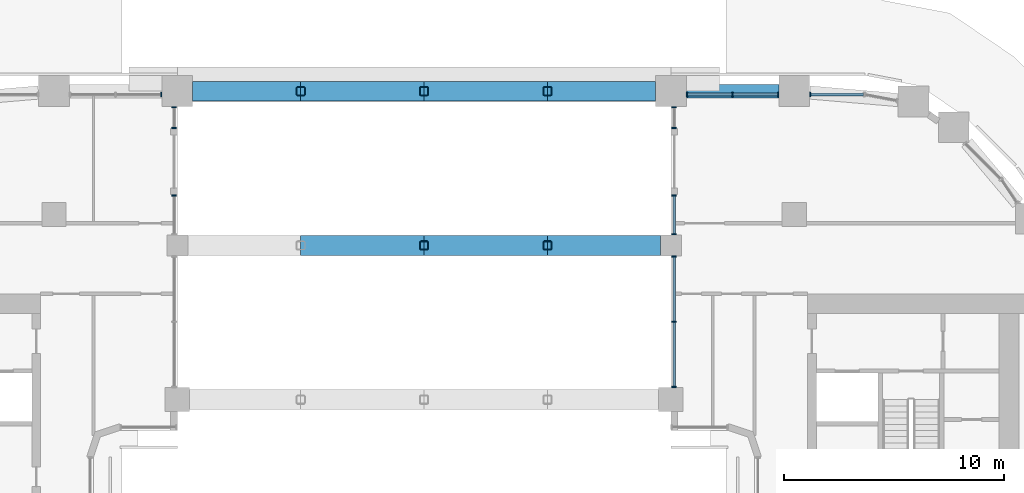
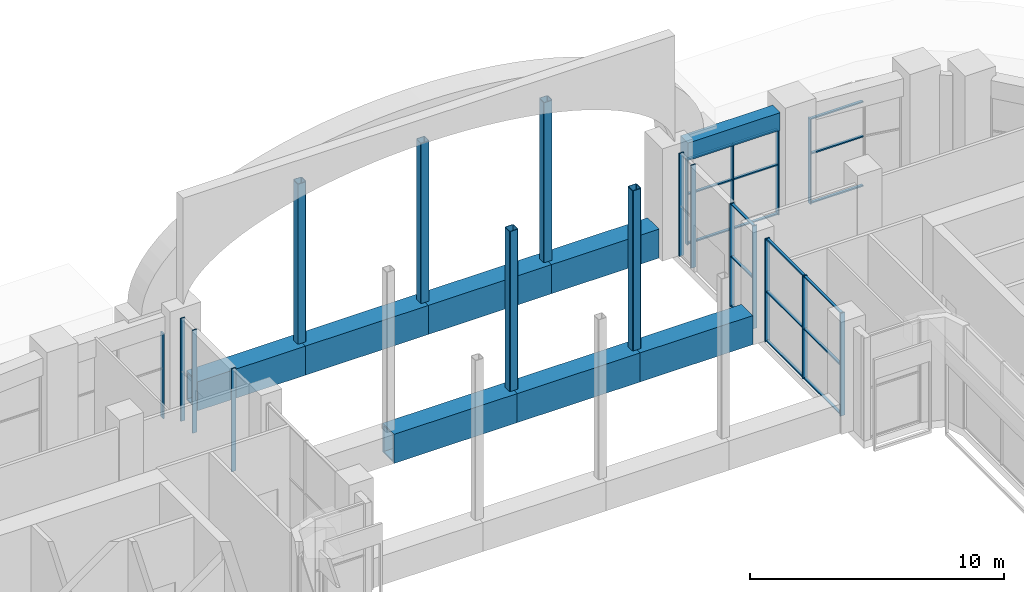
# One storey, part 9 of 27: 45 members, 1 beam, 8 elements without a shape of their own.
"""IFC4 building model written with IfcOpenShell, lengths in metres."""

from ifc_helpers import new_model, si_unit, direction, frame, origin, origin_2d, place, context, subcontext, project, spatial, rectangle, hollow_rectangle, extrude, material, layer, layer_set, material_profile, profile_set, type_object, element, aggregate, save


model = new_model("IFC4")

# Units and contexts
model_context = context("Model", 3, precision=1e-05, world=origin(), true_north=direction((0.0, 1.0)))
body_context = subcontext(model_context, "Body", "Model", "MODEL_VIEW")
ifc_project = project(units=[si_unit("LENGTHUNIT", "METRE"), si_unit("AREAUNIT", "SQUARE_METRE"), si_unit("VOLUMEUNIT", "CUBIC_METRE"), si_unit("PLANEANGLEUNIT", "RADIAN"), si_unit("MASSUNIT", "GRAM", prefix="KILO")], contexts=[model_context])

# Site, building, storey
site_placement = place(None, origin())
site = spatial("IfcSite", under=ifc_project, at=site_placement, CompositionType="ELEMENT")
building_placement = place(site_placement, origin())
building = spatial("IfcBuilding", under=site, at=building_placement, Name="Kiln Ring Residences", CompositionType="ELEMENT")
storey_placement = place(building_placement, frame((0.0, 0.0, 72.5)))
storey = spatial("IfcBuildingStorey", under=building, at=storey_placement, Name="L18", CompositionType="ELEMENT", Elevation=72.5)

# Members
ifc_material_1 = material(Name="Steel S460", Category="steel")
ifc_material_profile_1 = material_profile(ifc_material_1, hollow_rectangle(XDim=0.89990234375, YDim=1.39990234375, WallThickness=0.080078125, at=origin_2d()), Name="BOX1400x900x80")
ifc_profile_set_1 = profile_set([ifc_material_profile_1], Name="Steel S460")
member_type_1 = type_object("IfcMemberType", Name="Bridge truss chord BOX1400x900x80 S460", PredefinedType="CHORD", material=ifc_profile_set_1)
member_1_placement = place(storey_placement, frame((-10.5, 22.39990234375, 0.699951171875), z_axis=(1.0, 0.0, 0.0), x_axis=(0.0, 1.0, 0.0)))
element("IfcMember", 1, at=member_1_placement, inside=storey, type_object=member_type_1, Name="Bridge truss chord L18 13", PredefinedType="CHORD", context=body_context, shape_type="SweptSolid", body=[
    extrude(hollow_rectangle(XDim=0.89990234375, YDim=1.39990234375, WallThickness=0.080078125, at=origin_2d()), origin(), (0.0, 0.0, 1.0), 4.89990234375),
])
for number, where, z_axis, x_axis, name in (
    (2, (-5.60009765625, 22.39990234375, 0.699951171875), (1.0, 0.0, 0.0), (0.0, 1.0, 0.0), "Bridge truss chord L18 14"),
    (3, (0.0, 22.39990234375, 0.699951171875), (1.0, 0.0, 0.0), (0.0, 1.0, 0.0), "Bridge truss chord L18 15"),
):
    element("IfcMember", number, at=place(storey_placement, frame(where, z_axis=z_axis, x_axis=x_axis)), inside=storey, type_object=member_type_1, Name=name, PredefinedType="CHORD", context=body_context, shape_type="SweptSolid", body=[
        extrude(hollow_rectangle(XDim=0.89990234375, YDim=1.39990234375, WallThickness=0.080078125, at=origin_2d()), origin(), (0.0, 0.0, 1.0), 5.60009765625),
    ])
member_2_placement = place(storey_placement, frame((5.60009765625, 22.39990234375, 0.699951171875), z_axis=(1.0, 0.0, 0.0), x_axis=(0.0, 1.0, 0.0)))
element("IfcMember", 4, at=member_2_placement, inside=storey, type_object=member_type_1, Name="Bridge truss chord L18 16", PredefinedType="CHORD", context=body_context, shape_type="SweptSolid", body=[
    extrude(hollow_rectangle(XDim=0.89990234375, YDim=1.39990234375, WallThickness=0.080078125, at=origin_2d()), origin(), (0.0, 0.0, 1.0), 4.89990234375),
])
for number, where, z_axis, x_axis, name in (
    (5, (-5.60009765625, 15.39990234375, 0.699951171875), (1.0, 0.0, 0.0), (0.0, 1.0, 0.0), "Bridge truss chord L18 18"),
    (6, (0.0, 15.39990234375, 0.699951171875), (1.0, 0.0, 0.0), (0.0, 1.0, 0.0), "Bridge truss chord L18 19"),
):
    element("IfcMember", number, at=place(storey_placement, frame(where, z_axis=z_axis, x_axis=x_axis)), inside=storey, type_object=member_type_1, Name=name, PredefinedType="CHORD", context=body_context, shape_type="SweptSolid", body=[
        extrude(hollow_rectangle(XDim=0.89990234375, YDim=1.39990234375, WallThickness=0.080078125, at=origin_2d()), origin(), (0.0, 0.0, 1.0), 5.60009765625),
    ])
member_3_placement = place(storey_placement, frame((5.60009765625, 15.39990234375, 0.699951171875), z_axis=(1.0, 0.0, 0.0), x_axis=(0.0, 1.0, 0.0)))
element("IfcMember", 7, at=member_3_placement, inside=storey, type_object=member_type_1, Name="Bridge truss chord L18 20", PredefinedType="CHORD", context=body_context, shape_type="SweptSolid", body=[
    extrude(hollow_rectangle(XDim=0.89990234375, YDim=1.39990234375, WallThickness=0.080078125, at=origin_2d()), origin(), (0.0, 0.0, 1.0), 5.125),
])
ifc_material_2 = material(Name="Steel S355", Category="steel")
ifc_material_profile_2 = material_profile(ifc_material_2, hollow_rectangle(XDim=0.39990234375, YDim=0.39990234375, WallThickness=0.02490234375, InnerFilletRadius=0.02490234375, OuterFilletRadius=0.0625, at=origin_2d()), Name="SHS400x400x25")
ifc_profile_set_2 = profile_set([ifc_material_profile_2], Name="Steel S355")
member_type_2 = type_object("IfcMemberType", Name="Bridge truss post SHS400x400x25 S355", PredefinedType="POST", material=ifc_profile_set_2)
for number, where, z_axis, x_axis, name in (
    (8, (-5.60009765625, 22.39990234375, 1.39990234375), (0.0, 0.0, 1.0), (1.0, 0.0, 0.0), "Bridge truss post L18 10"),
    (9, (0.0, 22.39990234375, 1.39990234375), (0.0, 0.0, 1.0), (1.0, 0.0, 0.0), "Bridge truss post L18 11"),
    (10, (5.60009765625, 22.39990234375, 1.39990234375), (0.0, 0.0, 1.0), (1.0, 0.0, 0.0), "Bridge truss post L18 12"),
    (11, (0.0, 15.39990234375, 1.39990234375), (0.0, 0.0, 1.0), (1.0, 0.0, 0.0), "Bridge truss post L18 14"),
    (12, (5.60009765625, 15.39990234375, 1.39990234375), (0.0, 0.0, 1.0), (1.0, 0.0, 0.0), "Bridge truss post L18 15"),
):
    element("IfcMember", number, at=place(storey_placement, frame(where, z_axis=z_axis, x_axis=x_axis)), inside=storey, type_object=member_type_2, Name=name, PredefinedType="POST", context=body_context, shape_type="SweptSolid", body=[
        extrude(hollow_rectangle(XDim=0.39990234375, YDim=0.39990234375, WallThickness=0.02490234375, InnerFilletRadius=0.02490234375, OuterFilletRadius=0.0625, at=origin_2d()), origin(), (0.0, 0.0, 1.0), 7.7001953125),
    ])

# Curtain wall, member
ifc_material_3 = material(Name="Aluminium and glass", Category="aluminium")
ifc_layer = layer(ifc_material_3, 0.199951171875)
ifc_layer_set = layer_set([ifc_layer], Name="CW1 CURTAIN WALL")
curtain_wall_type = type_object("IfcCurtainWallType", Name="CW1 CURTAIN WALL", PredefinedType="NOTDEFINED", material=ifc_layer_set)
placement = place(storey_placement, origin())
curtain_wall_1 = element("IfcCurtainWall", 13, at=placement, inside=storey, type_object=curtain_wall_type, Name="Curtain wall CW1 L18", PredefinedType="NOTDEFINED")
ifc_material_4 = material(Name="Aluminium 6063-T6", Category="aluminium")
ifc_material_profile_3 = material_profile(ifc_material_4, rectangle(XDim=0.199951171875, YDim=0.06005859375, at=origin_2d()), Name="AL 200x60")
ifc_profile_set_3 = profile_set([ifc_material_profile_3], Name="Aluminium 6063-T6")
member_type_3 = type_object("IfcMemberType", Name="CW1 MULLION 200 x 60", PredefinedType="MULLION", material=ifc_profile_set_3)
member_4_placement = place(storey_placement, frame((-11.35009765625, 17.669921875, 0.0), z_axis=(0.0, 0.0, 1.0), x_axis=(-1.0, 0.0, 0.0)))
member_4 = element("IfcMember", 14, at=member_4_placement, type_object=member_type_3, Name="CW1 mullion 2", PredefinedType="MULLION", context=body_context, shape_type="SweptSolid", body=[
    extrude(rectangle(XDim=0.199951171875, YDim=0.06005859375, at=origin_2d()), origin(), (0.0, 0.0, 1.0), 4.949951171875),
])
aggregate(curtain_wall_1, [member_4])

# Curtain wall, members
curtain_wall_2 = element("IfcCurtainWall", 15, at=placement, inside=storey, type_object=curtain_wall_type, Name="Curtain wall CW1 L18", PredefinedType="NOTDEFINED")
member_5_placement = place(storey_placement, frame((-11.35009765625, 20.72998046875, 0.0), z_axis=(0.0, 0.0, 1.0), x_axis=(-1.0, 0.0, 0.0)))
member_5 = element("IfcMember", 16, at=member_5_placement, type_object=member_type_3, Name="CW1 mullion 1", PredefinedType="MULLION", context=body_context, shape_type="SweptSolid", body=[
    extrude(rectangle(XDim=0.199951171875, YDim=0.06005859375, at=origin_2d()), origin(), (0.0, 0.0, 1.0), 4.949951171875),
])
member_6_placement = place(storey_placement, frame((-11.35009765625, 21.669921875, 0.0), z_axis=(0.0, 0.0, 1.0), x_axis=(-1.0, 0.0, 0.0)))
member_6 = element("IfcMember", 17, at=member_6_placement, type_object=member_type_3, Name="CW1 mullion 2", PredefinedType="MULLION", context=body_context, shape_type="SweptSolid", body=[
    extrude(rectangle(XDim=0.199951171875, YDim=0.06005859375, at=origin_2d()), origin(), (0.0, 0.0, 1.0), 4.949951171875),
])
aggregate(curtain_wall_2, [member_5, member_6])

# Curtain wall, member
curtain_wall_3 = element("IfcCurtainWall", 18, at=placement, inside=storey, type_object=curtain_wall_type, Name="Curtain wall CW1 L18", PredefinedType="NOTDEFINED")
member_7_placement = place(storey_placement, frame((-11.929931640625, 22.25, 0.0), z_axis=(0.0, 0.0, 1.0), x_axis=(0.0, -1.0, 0.0)))
member_7 = element("IfcMember", 19, at=member_7_placement, type_object=member_type_3, Name="CW1 mullion 1", PredefinedType="MULLION", context=body_context, shape_type="SweptSolid", body=[
    extrude(rectangle(XDim=0.199951171875, YDim=0.06005859375, at=origin_2d()), origin(), (0.0, 0.0, 1.0), 4.10009765625),
])
aggregate(curtain_wall_3, [member_7])

curtain_wall_4 = element("IfcCurtainWall", 20, at=placement, inside=storey, type_object=curtain_wall_type, Name="Curtain wall CW1 L18", PredefinedType="NOTDEFINED")
member_8_placement = place(storey_placement, frame((17.530029296875, 22.25, 0.0), z_axis=(0.0, 0.0, 1.0), x_axis=(0.0, -1.0, 0.0)))
member_8 = element("IfcMember", 21, at=member_8_placement, type_object=member_type_3, Name="CW1 mullion 2", PredefinedType="MULLION", context=body_context, shape_type="SweptSolid", body=[
    extrude(rectangle(XDim=0.199951171875, YDim=0.06005859375, at=origin_2d()), origin(), (0.0, 0.0, 1.0), 4.10009765625),
])

# Curtain wall, members
curtain_wall_5 = element("IfcCurtainWall", 22, at=placement, inside=storey, type_object=curtain_wall_type, Name="Curtain wall CW1 L18", PredefinedType="NOTDEFINED")
member_9_placement = place(storey_placement, frame((16.070068359375, 22.25, 0.0), z_axis=(0.0, 0.0, 1.0), x_axis=(0.0, -1.0, 0.0)))
member_9 = element("IfcMember", 23, at=member_9_placement, type_object=member_type_3, Name="CW1 mullion 1", PredefinedType="MULLION", context=body_context, shape_type="SweptSolid", body=[
    extrude(rectangle(XDim=0.199951171875, YDim=0.06005859375, at=origin_2d()), origin(), (0.0, 0.0, 1.0), 4.10009765625),
])
member_10_placement = place(storey_placement, frame((14.0, 22.25, 0.0), z_axis=(0.0, 0.0, 1.0), x_axis=(0.0, -1.0, 0.0)))
member_10 = element("IfcMember", 24, at=member_10_placement, type_object=member_type_3, Name="CW1 mullion 2", PredefinedType="MULLION", context=body_context, shape_type="SweptSolid", body=[
    extrude(rectangle(XDim=0.199951171875, YDim=0.06005859375, at=origin_2d()), origin(), (0.0, 0.0, 1.0), 4.10009765625),
])
member_11_placement = place(storey_placement, frame((11.929931640625, 22.25, 0.0), z_axis=(0.0, 0.0, 1.0), x_axis=(0.0, -1.0, 0.0)))
member_11 = element("IfcMember", 25, at=member_11_placement, type_object=member_type_3, Name="CW1 mullion 3", PredefinedType="MULLION", context=body_context, shape_type="SweptSolid", body=[
    extrude(rectangle(XDim=0.199951171875, YDim=0.06005859375, at=origin_2d()), origin(), (0.0, 0.0, 1.0), 4.10009765625),
])

curtain_wall_6 = element("IfcCurtainWall", 26, at=placement, inside=storey, type_object=curtain_wall_type, Name="Curtain wall CW1 L18", PredefinedType="NOTDEFINED")
member_12_placement = place(storey_placement, frame((11.35009765625, 21.669921875, 0.0), z_axis=(0.0, 0.0, 1.0), x_axis=(1.0, 0.0, 0.0)))
member_12 = element("IfcMember", 27, at=member_12_placement, type_object=member_type_3, Name="CW1 mullion 1", PredefinedType="MULLION", context=body_context, shape_type="SweptSolid", body=[
    extrude(rectangle(XDim=0.199951171875, YDim=0.06005859375, at=origin_2d()), origin(), (0.0, 0.0, 1.0), 4.949951171875),
])
member_13_placement = place(storey_placement, frame((11.35009765625, 20.72998046875, 0.0), z_axis=(0.0, 0.0, 1.0), x_axis=(1.0, 0.0, 0.0)))
member_13 = element("IfcMember", 28, at=member_13_placement, type_object=member_type_3, Name="CW1 mullion 2", PredefinedType="MULLION", context=body_context, shape_type="SweptSolid", body=[
    extrude(rectangle(XDim=0.199951171875, YDim=0.06005859375, at=origin_2d()), origin(), (0.0, 0.0, 1.0), 4.949951171875),
])
aggregate(curtain_wall_6, [member_12, member_13])

curtain_wall_7 = element("IfcCurtainWall", 29, at=placement, inside=storey, type_object=curtain_wall_type, Name="Curtain wall CW1 L18", PredefinedType="NOTDEFINED")
member_14_placement = place(storey_placement, frame((11.35009765625, 17.669921875, 0.0), z_axis=(0.0, 0.0, 1.0), x_axis=(1.0, 0.0, 0.0)))
member_14 = element("IfcMember", 30, at=member_14_placement, type_object=member_type_3, Name="CW1 mullion 1", PredefinedType="MULLION", context=body_context, shape_type="SweptSolid", body=[
    extrude(rectangle(XDim=0.199951171875, YDim=0.06005859375, at=origin_2d()), origin(), (0.0, 0.0, 1.0), 4.949951171875),
])
member_15_placement = place(storey_placement, frame((11.35009765625, 15.905029296875, 0.0), z_axis=(0.0, 0.0, 1.0), x_axis=(1.0, 0.0, 0.0)))
member_15 = element("IfcMember", 31, at=member_15_placement, type_object=member_type_3, Name="CW1 mullion 2", PredefinedType="MULLION", context=body_context, shape_type="SweptSolid", body=[
    extrude(rectangle(XDim=0.199951171875, YDim=0.06005859375, at=origin_2d()), origin(), (0.0, 0.0, 1.0), 4.949951171875),
])

curtain_wall_8 = element("IfcCurtainWall", 32, at=placement, inside=storey, type_object=curtain_wall_type, Name="Curtain wall CW1 L18", PredefinedType="NOTDEFINED")
member_16_placement = place(storey_placement, frame((11.35009765625, 14.89501953125, 0.0), z_axis=(0.0, 0.0, 1.0), x_axis=(1.0, 0.0, 0.0)))
member_16 = element("IfcMember", 33, at=member_16_placement, type_object=member_type_3, Name="CW1 mullion 1", PredefinedType="MULLION", context=body_context, shape_type="SweptSolid", body=[
    extrude(rectangle(XDim=0.199951171875, YDim=0.06005859375, at=origin_2d()), origin(), (0.0, 0.0, 1.0), 4.949951171875),
])
member_17_placement = place(storey_placement, frame((11.35009765625, 11.9375, 0.0), z_axis=(0.0, 0.0, 1.0), x_axis=(1.0, 0.0, 0.0)))
member_17 = element("IfcMember", 34, at=member_17_placement, type_object=member_type_3, Name="CW1 mullion 2", PredefinedType="MULLION", context=body_context, shape_type="SweptSolid", body=[
    extrude(rectangle(XDim=0.199951171875, YDim=0.06005859375, at=origin_2d()), origin(), (0.0, 0.0, 1.0), 4.949951171875),
])
member_18_placement = place(storey_placement, frame((11.35009765625, 8.97998046875, 0.0), z_axis=(0.0, 0.0, 1.0), x_axis=(1.0, 0.0, 0.0)))
member_18 = element("IfcMember", 35, at=member_18_placement, type_object=member_type_3, Name="CW1 mullion 3", PredefinedType="MULLION", context=body_context, shape_type="SweptSolid", body=[
    extrude(rectangle(XDim=0.199951171875, YDim=0.06005859375, at=origin_2d()), origin(), (0.0, 0.0, 1.0), 4.949951171875),
])

# Member
ifc_material_5 = material(Name="Aluminium 6063-T6", Category="aluminium")
ifc_material_profile_4 = material_profile(ifc_material_5, rectangle(XDim=0.1201171875, YDim=0.06005859375, at=origin_2d()), Name="AL 120x60")
ifc_profile_set_4 = profile_set([ifc_material_profile_4], Name="Aluminium 6063-T6")
member_type_4 = type_object("IfcMemberType", Name="CW1 TRANSOM 120 x 60", PredefinedType="USERDEFINED", material=ifc_profile_set_4)
member_19_placement = place(storey_placement, frame((19.93994140625, 22.25, 0.030029296875), z_axis=(-1.0, 0.0, 0.0), x_axis=(0.0, -1.0, 0.0)))
member_19 = element("IfcMember", 36, at=member_19_placement, type_object=member_type_4, Name="CW1 transom 1.1", ObjectType="TRANSOM", PredefinedType="USERDEFINED", context=body_context, shape_type="SweptSolid", body=[
    extrude(rectangle(XDim=0.1201171875, YDim=0.06005859375, at=origin_2d()), origin(), (0.0, 0.0, 1.0), 2.3798828125),
])

member_20_placement = place(storey_placement, frame((19.93994140625, 22.25, 2.39990234375), z_axis=(-1.0, 0.0, 0.0), x_axis=(0.0, -1.0, 0.0)))
member_20 = element("IfcMember", 37, at=member_20_placement, type_object=member_type_4, Name="CW1 transom 1.2", ObjectType="TRANSOM", PredefinedType="USERDEFINED", context=body_context, shape_type="SweptSolid", body=[
    extrude(rectangle(XDim=0.1201171875, YDim=0.06005859375, at=origin_2d()), origin(), (0.0, 0.0, 1.0), 2.3798828125),
])

member_21_placement = place(storey_placement, frame((19.93994140625, 22.25, 4.070068359375), z_axis=(-1.0, 0.0, 0.0), x_axis=(0.0, -1.0, 0.0)))
member_21 = element("IfcMember", 38, at=member_21_placement, type_object=member_type_4, Name="CW1 transom 1.3", ObjectType="TRANSOM", PredefinedType="USERDEFINED", context=body_context, shape_type="SweptSolid", body=[
    extrude(rectangle(XDim=0.1201171875, YDim=0.06005859375, at=origin_2d()), origin(), (0.0, 0.0, 1.0), 2.3798828125),
])

aggregate(curtain_wall_4, [member_8, member_19, member_20, member_21])

member_22_placement = place(storey_placement, frame((16.0400390625, 22.25, 0.030029296875), z_axis=(-1.0, 0.0, 0.0), x_axis=(0.0, -1.0, 0.0)))
member_22 = element("IfcMember", 39, at=member_22_placement, type_object=member_type_4, Name="CW1 transom 1.1", ObjectType="TRANSOM", PredefinedType="USERDEFINED", context=body_context, shape_type="SweptSolid", body=[
    extrude(rectangle(XDim=0.1201171875, YDim=0.06005859375, at=origin_2d()), origin(), (0.0, 0.0, 1.0), 2.010009765625),
])

member_23_placement = place(storey_placement, frame((16.0400390625, 22.25, 2.39990234375), z_axis=(-1.0, 0.0, 0.0), x_axis=(0.0, -1.0, 0.0)))
member_23 = element("IfcMember", 40, at=member_23_placement, type_object=member_type_4, Name="CW1 transom 1.2", ObjectType="TRANSOM", PredefinedType="USERDEFINED", context=body_context, shape_type="SweptSolid", body=[
    extrude(rectangle(XDim=0.1201171875, YDim=0.06005859375, at=origin_2d()), origin(), (0.0, 0.0, 1.0), 2.010009765625),
])

member_24_placement = place(storey_placement, frame((16.0400390625, 22.25, 4.070068359375), z_axis=(-1.0, 0.0, 0.0), x_axis=(0.0, -1.0, 0.0)))
member_24 = element("IfcMember", 41, at=member_24_placement, type_object=member_type_4, Name="CW1 transom 1.3", ObjectType="TRANSOM", PredefinedType="USERDEFINED", context=body_context, shape_type="SweptSolid", body=[
    extrude(rectangle(XDim=0.1201171875, YDim=0.06005859375, at=origin_2d()), origin(), (0.0, 0.0, 1.0), 2.010009765625),
])

member_25_placement = place(storey_placement, frame((13.969970703125, 22.25, 0.030029296875), z_axis=(-1.0, 0.0, 0.0), x_axis=(0.0, -1.0, 0.0)))
member_25 = element("IfcMember", 42, at=member_25_placement, type_object=member_type_4, Name="CW1 transom 2.1", ObjectType="TRANSOM", PredefinedType="USERDEFINED", context=body_context, shape_type="SweptSolid", body=[
    extrude(rectangle(XDim=0.1201171875, YDim=0.06005859375, at=origin_2d()), origin(), (0.0, 0.0, 1.0), 2.010009765625),
])

member_26_placement = place(storey_placement, frame((13.969970703125, 22.25, 2.39990234375), z_axis=(-1.0, 0.0, 0.0), x_axis=(0.0, -1.0, 0.0)))
member_26 = element("IfcMember", 43, at=member_26_placement, type_object=member_type_4, Name="CW1 transom 2.2", ObjectType="TRANSOM", PredefinedType="USERDEFINED", context=body_context, shape_type="SweptSolid", body=[
    extrude(rectangle(XDim=0.1201171875, YDim=0.06005859375, at=origin_2d()), origin(), (0.0, 0.0, 1.0), 2.010009765625),
])

member_27_placement = place(storey_placement, frame((13.969970703125, 22.25, 4.070068359375), z_axis=(-1.0, 0.0, 0.0), x_axis=(0.0, -1.0, 0.0)))
member_27 = element("IfcMember", 44, at=member_27_placement, type_object=member_type_4, Name="CW1 transom 2.3", ObjectType="TRANSOM", PredefinedType="USERDEFINED", context=body_context, shape_type="SweptSolid", body=[
    extrude(rectangle(XDim=0.1201171875, YDim=0.06005859375, at=origin_2d()), origin(), (0.0, 0.0, 1.0), 2.010009765625),
])

aggregate(curtain_wall_5, [member_9, member_10, member_11, member_22, member_23, member_24, member_25, member_26, member_27])

member_28_placement = place(storey_placement, frame((11.35009765625, 17.639892578125, 0.030029296875), z_axis=(0.0, -1.0, 0.0), x_axis=(1.0, 0.0, 0.0)))
member_28 = element("IfcMember", 45, at=member_28_placement, type_object=member_type_4, Name="CW1 transom 1.1", ObjectType="TRANSOM", PredefinedType="USERDEFINED", context=body_context, shape_type="SweptSolid", body=[
    extrude(rectangle(XDim=0.1201171875, YDim=0.06005859375, at=origin_2d()), origin(), (0.0, 0.0, 1.0), 1.704833984375),
])

member_29_placement = place(storey_placement, frame((11.35009765625, 17.639892578125, 2.39990234375), z_axis=(0.0, -1.0, 0.0), x_axis=(1.0, 0.0, 0.0)))
member_29 = element("IfcMember", 46, at=member_29_placement, type_object=member_type_4, Name="CW1 transom 1.2", ObjectType="TRANSOM", PredefinedType="USERDEFINED", context=body_context, shape_type="SweptSolid", body=[
    extrude(rectangle(XDim=0.1201171875, YDim=0.06005859375, at=origin_2d()), origin(), (0.0, 0.0, 1.0), 1.704833984375),
])

member_30_placement = place(storey_placement, frame((11.35009765625, 17.639892578125, 4.919921875), z_axis=(0.0, -1.0, 0.0), x_axis=(1.0, 0.0, 0.0)))
member_30 = element("IfcMember", 47, at=member_30_placement, type_object=member_type_4, Name="CW1 transom 1.3", ObjectType="TRANSOM", PredefinedType="USERDEFINED", context=body_context, shape_type="SweptSolid", body=[
    extrude(rectangle(XDim=0.1201171875, YDim=0.06005859375, at=origin_2d()), origin(), (0.0, 0.0, 1.0), 1.704833984375),
])

aggregate(curtain_wall_7, [member_14, member_15, member_28, member_29, member_30])

member_31_placement = place(storey_placement, frame((11.35009765625, 14.864990234375, 0.030029296875), z_axis=(0.0, -1.0, 0.0), x_axis=(1.0, 0.0, 0.0)))
member_31 = element("IfcMember", 48, at=member_31_placement, type_object=member_type_4, Name="CW1 transom 1.1", ObjectType="TRANSOM", PredefinedType="USERDEFINED", context=body_context, shape_type="SweptSolid", body=[
    extrude(rectangle(XDim=0.1201171875, YDim=0.06005859375, at=origin_2d()), origin(), (0.0, 0.0, 1.0), 2.8974609375),
])

member_32_placement = place(storey_placement, frame((11.35009765625, 14.864990234375, 2.39990234375), z_axis=(0.0, -1.0, 0.0), x_axis=(1.0, 0.0, 0.0)))
member_32 = element("IfcMember", 49, at=member_32_placement, type_object=member_type_4, Name="CW1 transom 1.2", ObjectType="TRANSOM", PredefinedType="USERDEFINED", context=body_context, shape_type="SweptSolid", body=[
    extrude(rectangle(XDim=0.1201171875, YDim=0.06005859375, at=origin_2d()), origin(), (0.0, 0.0, 1.0), 2.8974609375),
])

member_33_placement = place(storey_placement, frame((11.35009765625, 14.864990234375, 4.919921875), z_axis=(0.0, -1.0, 0.0), x_axis=(1.0, 0.0, 0.0)))
member_33 = element("IfcMember", 50, at=member_33_placement, type_object=member_type_4, Name="CW1 transom 1.3", ObjectType="TRANSOM", PredefinedType="USERDEFINED", context=body_context, shape_type="SweptSolid", body=[
    extrude(rectangle(XDim=0.1201171875, YDim=0.06005859375, at=origin_2d()), origin(), (0.0, 0.0, 1.0), 2.8974609375),
])

member_34_placement = place(storey_placement, frame((11.35009765625, 11.907470703125, 0.030029296875), z_axis=(0.0, -1.0, 0.0), x_axis=(1.0, 0.0, 0.0)))
member_34 = element("IfcMember", 51, at=member_34_placement, type_object=member_type_4, Name="CW1 transom 2.1", ObjectType="TRANSOM", PredefinedType="USERDEFINED", context=body_context, shape_type="SweptSolid", body=[
    extrude(rectangle(XDim=0.1201171875, YDim=0.06005859375, at=origin_2d()), origin(), (0.0, 0.0, 1.0), 2.8974609375),
])

member_35_placement = place(storey_placement, frame((11.35009765625, 11.907470703125, 2.39990234375), z_axis=(0.0, -1.0, 0.0), x_axis=(1.0, 0.0, 0.0)))
member_35 = element("IfcMember", 52, at=member_35_placement, type_object=member_type_4, Name="CW1 transom 2.2", ObjectType="TRANSOM", PredefinedType="USERDEFINED", context=body_context, shape_type="SweptSolid", body=[
    extrude(rectangle(XDim=0.1201171875, YDim=0.06005859375, at=origin_2d()), origin(), (0.0, 0.0, 1.0), 2.8974609375),
])

member_36_placement = place(storey_placement, frame((11.35009765625, 11.907470703125, 4.919921875), z_axis=(0.0, -1.0, 0.0), x_axis=(1.0, 0.0, 0.0)))
member_36 = element("IfcMember", 53, at=member_36_placement, type_object=member_type_4, Name="CW1 transom 2.3", ObjectType="TRANSOM", PredefinedType="USERDEFINED", context=body_context, shape_type="SweptSolid", body=[
    extrude(rectangle(XDim=0.1201171875, YDim=0.06005859375, at=origin_2d()), origin(), (0.0, 0.0, 1.0), 2.8974609375),
])

aggregate(curtain_wall_8, [member_16, member_17, member_18, member_31, member_32, member_33, member_34, member_35, member_36])

# Beam
ifc_material_6 = material(Name="Concrete C50/60", Category="concrete")
ifc_material_profile_5 = material_profile(ifc_material_6, rectangle(XDim=0.60009765625, YDim=0.85009765625, at=origin_2d()), Name="RC600x850")
ifc_profile_set_5 = profile_set([ifc_material_profile_5], Name="Concrete C50/60")
beam_type = type_object("IfcBeamType", Name="Spandrel beam RC600x850 C50/60", PredefinedType="SPANDREL", material=ifc_profile_set_5)
beam_placement = place(storey_placement, frame((16.10009765625, 22.39990234375, 4.52490234375), z_axis=(-1.0, 0.0, 0.0), x_axis=(0.0, -1.0, 0.0)))
element("IfcBeam", 54, at=beam_placement, inside=storey, type_object=beam_type, Name="Spandrel beam L18 14", PredefinedType="SPANDREL", context=body_context, shape_type="SweptSolid", body=[
    extrude(rectangle(XDim=0.60009765625, YDim=0.85009765625, at=origin_2d()), origin(), (0.0, 0.0, 1.0), 4.2001953125),
])

save(model, "model.ifc")
